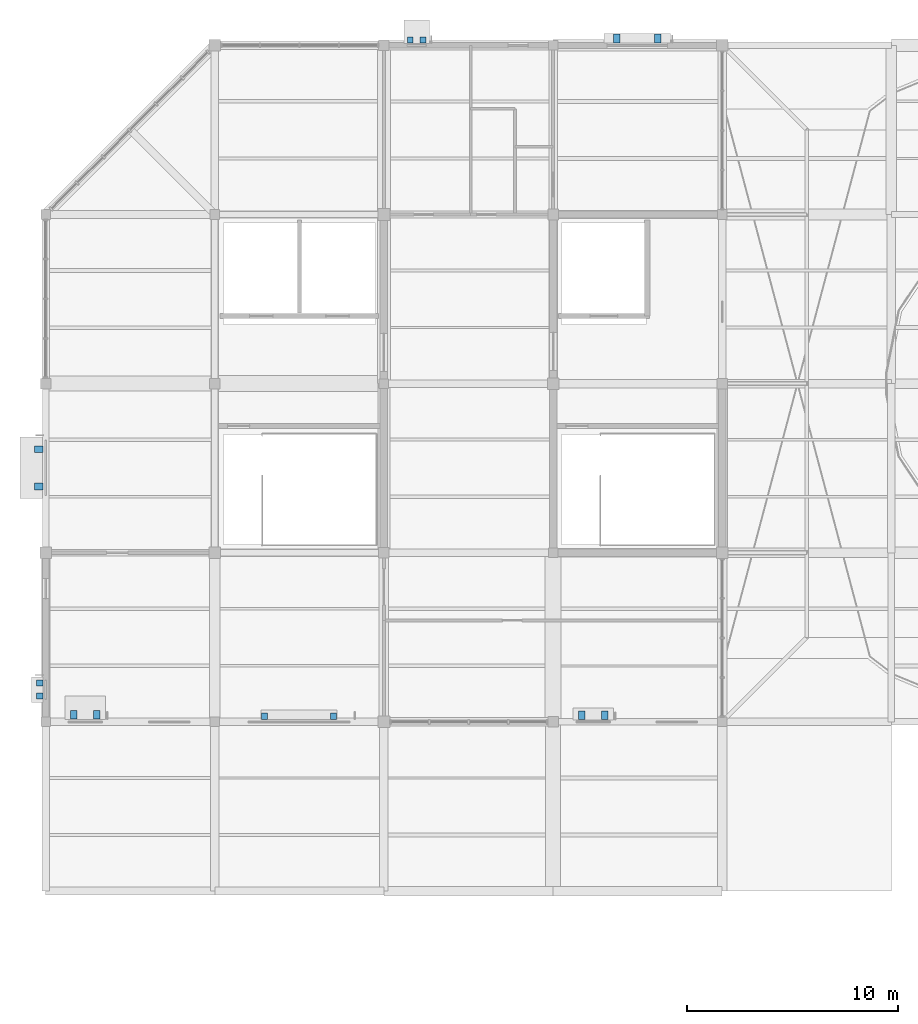
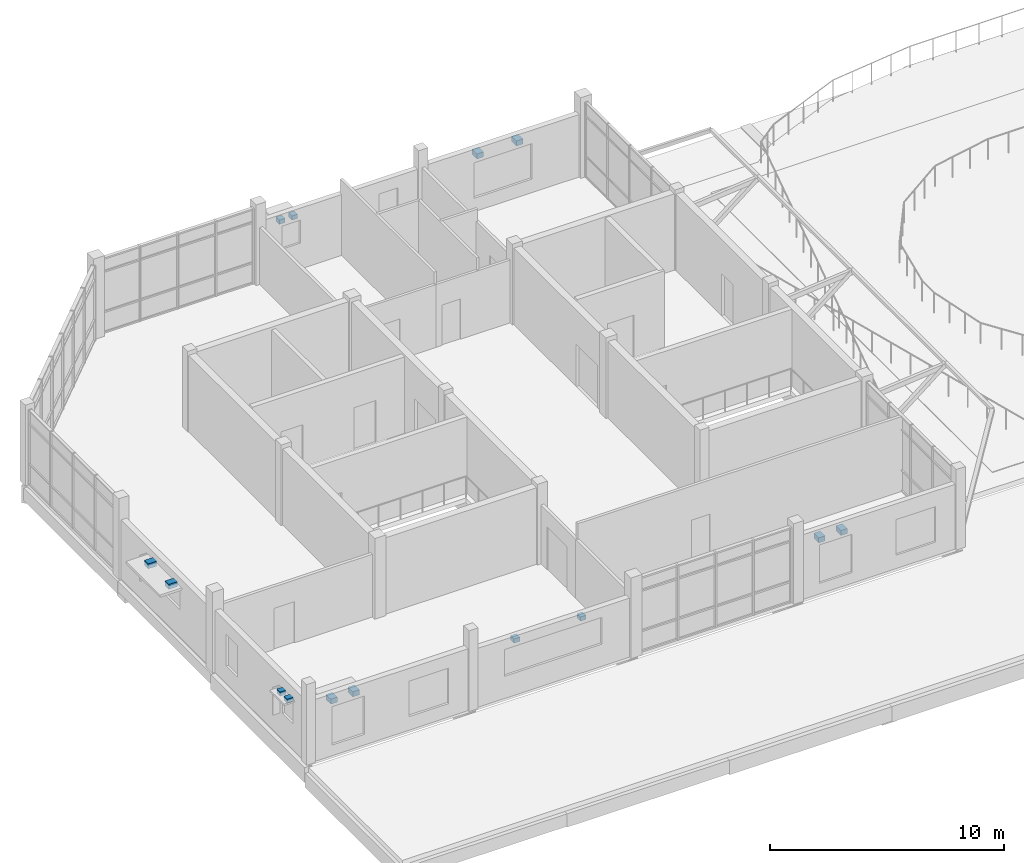
# One storey, part 42 of 44: 14 discrete accessories.
"""IFC4 building model written with IfcOpenShell, lengths in metres."""

from ifc_helpers import new_model, si_unit, direction, frame, origin, origin_2d, place, context, subcontext, project, spatial, rectangle, extrude, material, type_object, element, save


model = new_model("IFC4")

# Units and contexts
model_context = context("Model", 3, precision=1e-05, world=origin(), true_north=direction((0.0, 1.0)))
body_context = subcontext(model_context, "Body", "Model", "MODEL_VIEW")
ifc_project = project(units=[si_unit("LENGTHUNIT", "METRE"), si_unit("AREAUNIT", "SQUARE_METRE"), si_unit("VOLUMEUNIT", "CUBIC_METRE"), si_unit("PLANEANGLEUNIT", "RADIAN"), si_unit("MASSUNIT", "GRAM", prefix="KILO")], contexts=[model_context])

# Site, building, storey
site_placement = place(None, origin())
site = spatial("IfcSite", under=ifc_project, at=site_placement, CompositionType="ELEMENT")
building_placement = place(site_placement, origin())
building = spatial("IfcBuilding", under=site, at=building_placement, Name="Tenunan Teduh Sports Hall", CompositionType="ELEMENT")
storey_placement = place(building_placement, frame((0.0, 0.0, 19.199951171875)))
storey = spatial("IfcBuildingStorey", under=building, at=storey_placement, Name="L04", CompositionType="ELEMENT", Elevation=19.199951171875)

# Discrete accessories
ifc_material_1 = material(Name="Steel S355", Category="steel")
discrete_accessory_type_1 = type_object("IfcDiscreteAccessoryType", Name="BRK-SHD-1", PredefinedType="BRACKET", material=ifc_material_1)
for number, where, z_axis, x_axis, name in (
    (1, (16.343017578125, 86.27001953125, 2.5), (0.0, 0.0, 1.0), (1.0, 0.0, 0.0), "BRK-L04-066-1"),
    (2, (19.60693359375, 86.27001953125, 2.5), (0.0, 0.0, 1.0), (1.0, 0.0, 0.0), "BRK-L04-066-2"),
    (3, (23.243896484375, 118.2548828125, 2.5), (0.0, 0.0, 1.0), (1.0, 0.0, 0.0), "BRK-L04-068-1"),
    (4, (23.85595703125, 118.2548828125, 2.5), (0.0, 0.0, 1.0), (1.0, 0.0, 0.0), "BRK-L04-068-2"),
    (5, (5.72509765625, 87.218994140625, 2.5), (0.0, 0.0, 1.0), (0.0, 1.0, 0.0), "BRK-L04-070-1"),
    (6, (5.72509765625, 87.8310546875, 2.5), (0.0, 0.0, 1.0), (0.0, 1.0, 0.0), "BRK-L04-070-2"),
):
    element("IfcDiscreteAccessory", number, at=place(storey_placement, frame(where, z_axis=z_axis, x_axis=x_axis)), inside=storey, type_object=discrete_accessory_type_1, Name=name, PredefinedType="BRACKET", context=body_context, shape_type="SweptSolid", body=[
        extrude(rectangle(XDim=0.280029296875, YDim=0.300048828125, at=origin_2d()), origin(), (0.0, 0.0, 1.0), 0.219970703125),
    ])
ifc_material_2 = material(Name="Steel S355", Category="steel")
discrete_accessory_type_2 = type_object("IfcDiscreteAccessoryType", Name="BRK-SHD-2", PredefinedType="BRACKET", material=ifc_material_2)
for number, where, z_axis, x_axis, name in (
    (7, (7.3310546875, 86.3349609375, 2.47998046875), (0.0, 0.0, 1.0), (1.0, 0.0, 0.0), "BRK-L04-065-1"),
    (8, (8.4189453125, 86.3349609375, 2.47998046875), (0.0, 0.0, 1.0), (1.0, 0.0, 0.0), "BRK-L04-065-2"),
    (9, (31.35595703125, 86.31494140625, 2.47998046875), (0.0, 0.0, 1.0), (1.0, 0.0, 0.0), "BRK-L04-067-1"),
    (10, (32.444091796875, 86.31494140625, 2.47998046875), (0.0, 0.0, 1.0), (1.0, 0.0, 0.0), "BRK-L04-067-2"),
    (11, (33.010986328125, 118.330078125, 2.47998046875), (0.0, 0.0, 1.0), (1.0, 0.0, 0.0), "BRK-L04-069-1"),
    (12, (34.948974609375, 118.330078125, 2.47998046875), (0.0, 0.0, 1.0), (1.0, 0.0, 0.0), "BRK-L04-069-2"),
    (13, (5.669921875, 97.131103515625, 2.47998046875), (0.0, 0.0, 1.0), (0.0, 1.0, 0.0), "BRK-L04-071-1"),
    (14, (5.669921875, 98.89892578125, 2.47998046875), (0.0, 0.0, 1.0), (0.0, 1.0, 0.0), "BRK-L04-071-2"),
):
    element("IfcDiscreteAccessory", number, at=place(storey_placement, frame(where, z_axis=z_axis, x_axis=x_axis)), inside=storey, type_object=discrete_accessory_type_2, Name=name, PredefinedType="BRACKET", context=body_context, shape_type="SweptSolid", body=[
        extrude(rectangle(XDim=0.320068359375, YDim=0.419921875, at=origin_2d()), origin(), (0.0, 0.0, 1.0), 0.260009765625),
    ])

save(model, "model.ifc")
